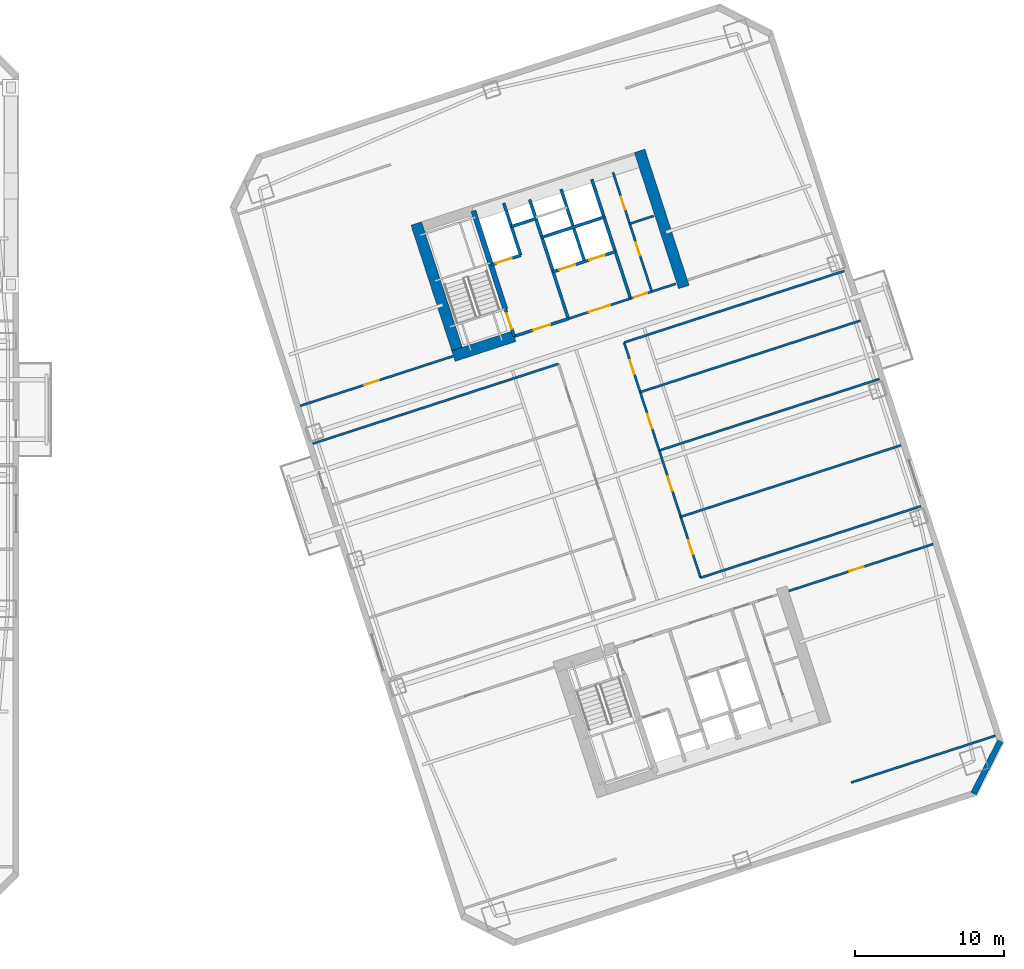
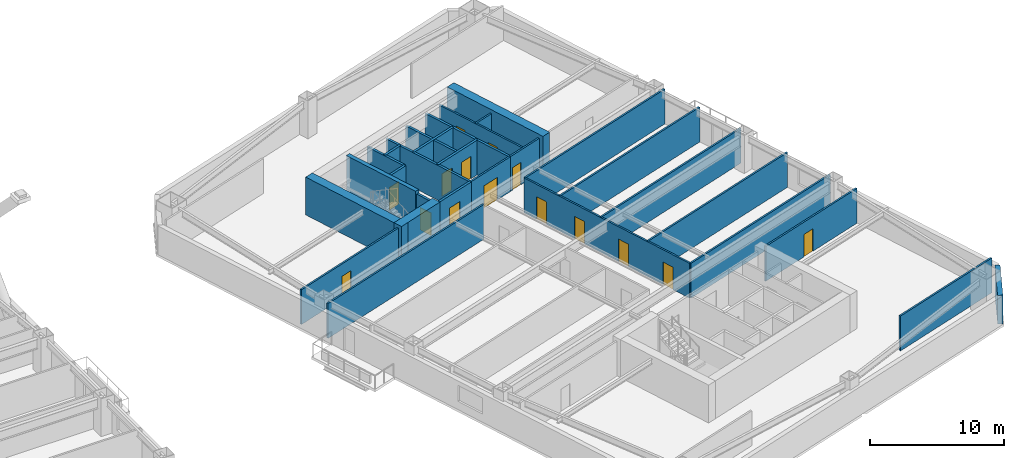
# One storey, part 8 of 15: 29 walls, 15 doors, 15 openings.
"""IFC4 building model written with IfcOpenShell, lengths in metres."""

from ifc_helpers import new_model, si_unit, direction, frame, frame_2d, origin, place, context, subcontext, project, spatial, rectangle, extrude, material, layer, layer_set, type_object, element, fill, save


model = new_model("IFC4")

# Units and contexts
model_context = context("Model", 3, precision=1e-05, world=origin(), true_north=direction((0.0, 1.0)))
body_context = subcontext(model_context, "Body", "Model", "MODEL_VIEW")
ifc_project = project(units=[si_unit("LENGTHUNIT", "METRE"), si_unit("AREAUNIT", "SQUARE_METRE"), si_unit("VOLUMEUNIT", "CUBIC_METRE"), si_unit("PLANEANGLEUNIT", "RADIAN"), si_unit("MASSUNIT", "GRAM", prefix="KILO")], contexts=[model_context])

# Site, building, storey
site_placement = place(None, origin())
site = spatial("IfcSite", under=ifc_project, at=site_placement, CompositionType="ELEMENT")
building_placement = place(site_placement, origin())
building = spatial("IfcBuilding", under=site, at=building_placement, Name="Qiaolan Cultural Towers", CompositionType="ELEMENT")
storey_placement = place(building_placement, frame((0.0, 0.0, 71.300048828125)))
storey = spatial("IfcBuildingStorey", under=building, at=storey_placement, Name="L17", CompositionType="ELEMENT", Elevation=71.300048828125)

# Walls
ifc_material_1 = material(Name="Concrete C50", Category="concrete")
ifc_layer_1 = layer(ifc_material_1, 0.35009765625)
ifc_layer_set_1 = layer_set([ifc_layer_1], Name="Concrete C50")
wall_type_1 = type_object("IfcWallType", Name="WL-CORE-350", PredefinedType="SHEAR", material=ifc_layer_set_1)
wall_1_placement = place(storey_placement, frame((82.513671875, 45.13134765625, 0.0), z_axis=(0.0, 0.0, 1.0), x_axis=(-0.308988790936, 0.951065679686, 0.0)))
element("IfcWall", 1, at=wall_1_placement, inside=storey, type_object=wall_type_1, Name="L17 T2-CN Stair Core Dividing Web", PredefinedType="SHEAR", context=body_context, shape_type="SweptSolid", body=[
    extrude(rectangle(XDim=6.97998046875, YDim=0.35009765625, at=frame_2d((3.489990234375, 0.0))), origin(), (0.0, 0.0, 1.0), 3.449951171875),
])
ifc_material_2 = material(Name="Concrete C60", Category="concrete")
ifc_layer_2 = layer(ifc_material_2, 0.75)
ifc_layer_set_2 = layer_set([ifc_layer_2], Name="Concrete C60")
wall_type_2 = type_object("IfcWallType", Name="WL-CORE-750", PredefinedType="SHEAR", material=ifc_layer_set_2)
for number, where, z_axis, x_axis, name in (
    (2, (79.48876953125, 41.75634765625, 0.0), (0.0, 0.0, 1.0), (-0.309016134813, 0.951056795583, 0.0), "L17 T2-CN West Core Shear Wall"),
    (3, (94.515380859375, 46.638916015625, 0.0), (0.0, 0.0, 1.0), (-0.309016134813, 0.951056795583, 0.0), "L17 T2-CN East Core Shear Wall"),
):
    element("IfcWall", number, at=place(storey_placement, frame(where, z_axis=z_axis, x_axis=x_axis)), inside=storey, type_object=wall_type_2, Name=name, PredefinedType="SHEAR", context=body_context, shape_type="SweptSolid", body=[
        extrude(rectangle(XDim=9.630126953125, YDim=0.75, at=frame_2d((4.81494140625, 0.0))), origin(), (0.0, 0.0, 1.0), 3.449951171875),
    ])
wall_2_placement = place(storey_placement, frame((79.01611328125, 41.997314453125, 0.0), z_axis=(0.0, 0.0, 1.0), x_axis=(0.95106038264, 0.309005094736, 0.0)))
element("IfcWall", 4, at=wall_2_placement, inside=storey, type_object=wall_type_2, Name="L17 T2-CN Stair Front Shear Wall", PredefinedType="SHEAR", context=body_context, shape_type="SweptSolid", body=[
    extrude(rectangle(XDim=4.294921875, YDim=0.75, at=frame_2d((2.1474609375, 0.0))), origin(), (0.0, 0.0, 1.0), 3.449951171875),
])
ifc_material_3 = material(Name="Precast Concrete C50 Honed Stone Pier", Category="masonry")
ifc_layer_3 = layer(ifc_material_3, 0.39990234375)
ifc_layer_set_3 = layer_set([ifc_layer_3], Name="Precast Concrete C50 Honed Stone Pier")
wall_type_3 = type_object("IfcWallType", Name="WL-EXT-PIER-400", PredefinedType="SOLIDWALL", material=ifc_layer_set_3)
wall_3_placement = place(storey_placement, frame((115.79541015625, 16.094970703125, 0.0), z_axis=(0.0, 0.0, 1.0), x_axis=(-0.453958106755, -0.891023028497, 0.0)))
element("IfcWall", 5, at=wall_3_placement, inside=storey, type_object=wall_type_3, Name="L17 East Tower Precast Pier Facade Wall F6", PredefinedType="SOLIDWALL", context=body_context, shape_type="SweptSolid", body=[
    extrude(rectangle(XDim=3.9599609375, YDim=0.39990234375, at=frame_2d((1.97998046875, 0.0))), origin(), (0.0, 0.0, 1.0), 2.60986328125),
])

# Wall, opening, door
ifc_material_4 = material(Name="Concrete C35 Fire Wall", Category="concrete")
ifc_layer_4 = layer(ifc_material_4, 0.199951171875)
ifc_layer_set_4 = layer_set([ifc_layer_4], Name="Concrete C35 Fire Wall")
wall_type_4 = type_object("IfcWallType", Name="WL-FIRE-200", PredefinedType="PARTITIONING", material=ifc_layer_set_4)
wall_4_placement = place(storey_placement, frame((83.100830078125, 43.324462890625, 0.0), z_axis=(0.0, 0.0, 1.0), x_axis=(-0.309048298632, 0.951046344356, 0.0)))
wall_4 = element("IfcWall", 6, at=wall_4_placement, inside=storey, type_object=wall_type_4, Name="L17 T2-CN Smokeproof Stair Entry Wall", PredefinedType="PARTITIONING", context=body_context, shape_type="SweptSolid", body=[
    extrude(rectangle(XDim=1.89990234375, YDim=0.199951171875, at=frame_2d((0.949951171875, 0.0))), origin(), (0.0, 0.0, 1.0), 3.175048828125),
])
opening_1_placement = place(wall_4_placement, frame((0.52001953125, 0.0, 0.0)))
opening_1 = element("IfcOpeningElement", 7, at=opening_1_placement, cuts=wall_4, Name="Opening FD-04", PredefinedType="OPENING", context=body_context, shape_type="SweptSolid", body=[
    extrude(rectangle(XDim=1.10009765625, YDim=2.050048828125, at=frame_2d((0.550048828125, 1.02490234375))), frame((0.0, 0.10986328125, 0.0), z_axis=(0.0, -1.0, 0.0), x_axis=(1.0, 0.0, 0.0)), (0.0, 0.0, 1.0), 0.219970703125),
])
ifc_material_5 = material(Name="Galvanized Steel Command Fire Door", Category="steel")
door_type_1 = type_object("IfcDoorType", Name="DR-FD90-1100", OperationType="NOTDEFINED", PredefinedType="DOOR", material=ifc_material_5)
door_1_placement = place(opening_1_placement, origin())
door_1 = element("IfcDoor", 8, at=door_1_placement, inside=storey, type_object=door_type_1, Name="L17 ST-E2 Smokeproof Stair Fire Door", OperationType="SINGLE_SWING_LEFT", OverallHeight=2.050048828125, OverallWidth=1.10009765625, PredefinedType="DOOR", context=body_context, shape_type="SweptSolid", body=[
    extrude(rectangle(XDim=1.10009765625, YDim=2.050048828125, at=frame_2d((0.550048828125, 1.02490234375))), frame((0.0, 0.02490234375, 0.0), z_axis=(0.0, -1.0, 0.0), x_axis=(1.0, 0.0, 0.0)), (0.0, 0.0, 1.0), 0.050048828125),
])
fill(opening_1, door_1)

# Wall
wall_5_placement = place(storey_placement, frame((86.743408203125, 44.508056640625, 0.0), z_axis=(0.0, 0.0, 1.0), x_axis=(-0.309016001439, 0.951056838919, 0.0)))
element("IfcWall", 9, at=wall_5_placement, inside=storey, type_object=wall_type_4, Name="L17 T2-CN Firefighting Zone Wall", PredefinedType="PARTITIONING", context=body_context, shape_type="SweptSolid", body=[
    extrude(rectangle(XDim=8.429931640625, YDim=0.199951171875, at=frame_2d((4.21484375, 0.0))), origin(), (0.0, 0.0, 1.0), 3.175048828125),
])

# Wall, opening, door
wall_6_placement = place(storey_placement, frame((83.100830078125, 43.324462890625, 0.0), z_axis=(0.0, 0.0, 1.0), x_axis=(0.951052804469, 0.309028417967, 0.0)))
wall_6 = element("IfcWall", 10, at=wall_6_placement, inside=storey, type_object=wall_type_4, Name="L17 T2-CN Firefighting Lobby Front Wall", PredefinedType="PARTITIONING", context=body_context, shape_type="SweptSolid", body=[
    extrude(rectangle(XDim=3.830078125, YDim=0.199951171875, at=frame_2d((1.9150390625, 0.0))), origin(), (0.0, 0.0, 1.0), 3.175048828125),
])
opening_2_placement = place(wall_6_placement, frame((1.35009765625, 0.0, 0.0)))
opening_2 = element("IfcOpeningElement", 11, at=opening_2_placement, cuts=wall_6, Name="Opening FD-03", PredefinedType="OPENING", context=body_context, shape_type="SweptSolid", body=[
    extrude(rectangle(XDim=1.199951171875, YDim=2.050048828125, at=frame_2d((0.60009765625, 1.02490234375))), frame((0.0, 0.10986328125, 0.0), z_axis=(0.0, -1.0, 0.0), x_axis=(1.0, 0.0, 0.0)), (0.0, 0.0, 1.0), 0.219970703125),
])
ifc_material_6 = material(Name="Galvanized Steel Smokeproof Lobby Fire Door", Category="steel")
door_type_2 = type_object("IfcDoorType", Name="DR-FD90-1200", OperationType="NOTDEFINED", PredefinedType="DOOR", material=ifc_material_6)
door_2_placement = place(opening_2_placement, origin())
door_2 = element("IfcDoor", 12, at=door_2_placement, inside=storey, type_object=door_type_2, Name="L17 FFL-E2 Firefighting Lobby Fire Door", OperationType="SINGLE_SWING_LEFT", OverallHeight=2.050048828125, OverallWidth=1.199951171875, PredefinedType="DOOR", context=body_context, shape_type="SweptSolid", body=[
    extrude(rectangle(XDim=1.199951171875, YDim=2.050048828125, at=frame_2d((0.60009765625, 1.02490234375))), frame((0.0, 0.02490234375, 0.0), z_axis=(0.0, -1.0, 0.0), x_axis=(1.0, 0.0, 0.0)), (0.0, 0.0, 1.0), 0.050048828125),
])
fill(opening_2, door_2)

wall_7_placement = place(storey_placement, frame((81.540283203125, 48.127197265625, 0.0), z_axis=(0.0, 0.0, 1.0), x_axis=(0.951062257173, 0.308999325213, 0.0)))
wall_7 = element("IfcWall", 13, at=wall_7_placement, inside=storey, type_object=wall_type_4, Name="L17 T2-CN Firefighting Shaft Front Wall", PredefinedType="PARTITIONING", context=body_context, shape_type="SweptSolid", body=[
    extrude(rectangle(XDim=2.10009765625, YDim=0.199951171875, at=frame_2d((1.050048828125, 0.0))), origin(), (0.0, 0.0, 1.0), 3.175048828125),
])
opening_3_placement = place(wall_7_placement, frame((0.35009765625, 0.0, 0.0)))
opening_3 = element("IfcOpeningElement", 14, at=opening_3_placement, cuts=wall_7, Name="Opening LD-01", PredefinedType="OPENING", context=body_context, shape_type="SweptSolid", body=[
    extrude(rectangle(XDim=1.10009765625, YDim=2.050048828125, at=frame_2d((0.550048828125, 1.02490234375))), frame((0.0, 0.10986328125, 0.0), z_axis=(0.0, -1.0, 0.0), x_axis=(1.0, 0.0, 0.0)), (0.0, 0.0, 1.0), 0.219970703125),
])
ifc_material_7 = material(Name="Brushed Stainless Steel S30408 Centre-Parting Lift Landing Door", Category="steel")
door_type_3 = type_object("IfcDoorType", Name="DR-LIFT-1100", OperationType="NOTDEFINED", PredefinedType="DOOR", material=ifc_material_7)
door_3_placement = place(opening_3_placement, origin())
door_3 = element("IfcDoor", 15, at=door_3_placement, inside=storey, type_object=door_type_3, Name="L17 FFL-E2 Firefighting Lift Landing Door", OperationType="DOUBLE_DOOR_SLIDING", OverallHeight=2.050048828125, OverallWidth=1.10009765625, PredefinedType="DOOR", context=body_context, shape_type="SweptSolid", body=[
    extrude(rectangle(XDim=1.10009765625, YDim=2.050048828125, at=frame_2d((0.550048828125, 1.02490234375))), frame((0.0, 0.02490234375, 0.0), z_axis=(0.0, -1.0, 0.0), x_axis=(1.0, 0.0, 0.0)), (0.0, 0.0, 1.0), 0.050048828125),
])
fill(opening_3, door_3)

# Walls
wall_8_placement = place(storey_placement, frame((83.53759765625, 48.776123046875, 0.0), z_axis=(0.0, 0.0, 1.0), x_axis=(-0.3089935693, 0.951064127245, 0.0)))
element("IfcWall", 16, at=wall_8_placement, inside=storey, type_object=wall_type_4, Name="L17 T2-CN Firefighting Hoistway East Wall", PredefinedType="PARTITIONING", context=body_context, shape_type="SweptSolid", body=[
    extrude(rectangle(XDim=3.7001953125, YDim=0.199951171875, at=frame_2d((1.85009765625, 0.0))), origin(), (0.0, 0.0, 1.0), 3.175048828125),
])
wall_9_placement = place(storey_placement, frame((82.910400390625, 50.706787109375, 0.0), z_axis=(0.0, 0.0, 1.0), x_axis=(0.951041328149, 0.309063734775, 0.0)))
element("IfcWall", 17, at=wall_9_placement, inside=storey, type_object=wall_type_4, Name="L17 T2-CN Pressurization Shaft Front Wall", PredefinedType="PARTITIONING", context=body_context, shape_type="SweptSolid", body=[
    extrude(rectangle(XDim=1.72998046875, YDim=0.199951171875, at=frame_2d((0.864990234375, 0.0))), origin(), (0.0, 0.0, 1.0), 3.175048828125),
])
wall_10_placement = place(storey_placement, frame((90.92822265625, 45.86767578125, 0.0), z_axis=(0.0, 0.0, 1.0), x_axis=(-0.309042196757, 0.951048327176, 0.0)))
element("IfcWall", 18, at=wall_10_placement, inside=storey, type_object=wall_type_4, Name="L17 T2-CN Lift Core East Wall", PredefinedType="PARTITIONING", context=body_context, shape_type="SweptSolid", body=[
    extrude(rectangle(XDim=8.429931640625, YDim=0.199951171875, at=frame_2d((4.21484375, 0.0))), origin(), (0.0, 0.0, 1.0), 3.175048828125),
])

# Wall, openings, doors
wall_11_placement = place(storey_placement, frame((85.717529296875, 47.66552734375, 0.0), z_axis=(0.0, 0.0, 1.0), x_axis=(0.951058531764, 0.30901079133, 0.0)))
wall_11 = element("IfcWall", 19, at=wall_11_placement, inside=storey, type_object=wall_type_4, Name="L17 T2-CN Passenger Lift Shaft Front Wall", PredefinedType="PARTITIONING", context=body_context, shape_type="SweptSolid", body=[
    extrude(rectangle(XDim=4.39990234375, YDim=0.199951171875, at=frame_2d((2.199951171875, 0.0))), origin(), (0.0, 0.0, 1.0), 3.175048828125),
])
opening_4_placement = place(wall_11_placement, frame((0.449951171875, 0.0, 0.0)))
opening_4 = element("IfcOpeningElement", 20, at=opening_4_placement, cuts=wall_11, Name="Opening LD-01", PredefinedType="OPENING", context=body_context, shape_type="SweptSolid", body=[
    extrude(rectangle(XDim=1.10009765625, YDim=2.050048828125, at=frame_2d((0.550048828125, 1.02490234375))), frame((0.0, 0.10986328125, 0.0), z_axis=(0.0, -1.0, 0.0), x_axis=(1.0, 0.0, 0.0)), (0.0, 0.0, 1.0), 0.219970703125),
])
opening_5_placement = place(wall_11_placement, frame((2.550048828125, 0.0, 0.0)))
opening_5 = element("IfcOpeningElement", 21, at=opening_5_placement, cuts=wall_11, Name="Opening LD-01", PredefinedType="OPENING", context=body_context, shape_type="SweptSolid", body=[
    extrude(rectangle(XDim=1.10009765625, YDim=2.050048828125, at=frame_2d((0.550048828125, 1.02490234375))), frame((0.0, 0.10986328125, 0.0), z_axis=(0.0, -1.0, 0.0), x_axis=(1.0, 0.0, 0.0)), (0.0, 0.0, 1.0), 0.219970703125),
])
door_4_placement = place(opening_4_placement, origin())
door_4 = element("IfcDoor", 22, at=door_4_placement, inside=storey, type_object=door_type_3, Name="L17 Passenger Lift 1 Landing Door", OperationType="DOUBLE_DOOR_SLIDING", OverallHeight=2.050048828125, OverallWidth=1.10009765625, PredefinedType="DOOR", context=body_context, shape_type="SweptSolid", body=[
    extrude(rectangle(XDim=1.10009765625, YDim=2.050048828125, at=frame_2d((0.550048828125, 1.02490234375))), frame((0.0, 0.02490234375, 0.0), z_axis=(0.0, -1.0, 0.0), x_axis=(1.0, 0.0, 0.0)), (0.0, 0.0, 1.0), 0.050048828125),
])
fill(opening_4, door_4)
door_5_placement = place(opening_5_placement, origin())
door_5 = element("IfcDoor", 23, at=door_5_placement, inside=storey, type_object=door_type_3, Name="L17 Passenger Lift 2 Landing Door", OperationType="DOUBLE_DOOR_SLIDING", OverallHeight=2.050048828125, OverallWidth=1.10009765625, PredefinedType="DOOR", context=body_context, shape_type="SweptSolid", body=[
    extrude(rectangle(XDim=1.10009765625, YDim=2.050048828125, at=frame_2d((0.550048828125, 1.02490234375))), frame((0.0, 0.02490234375, 0.0), z_axis=(0.0, -1.0, 0.0), x_axis=(1.0, 0.0, 0.0)), (0.0, 0.0, 1.0), 0.050048828125),
])
fill(opening_5, door_5)

# Walls
wall_12_placement = place(storey_placement, frame((87.83837890625, 48.3544921875, 0.0), z_axis=(0.0, 0.0, 1.0), x_axis=(-0.3090093719, 0.951058992953, 0.0)))
element("IfcWall", 24, at=wall_12_placement, inside=storey, type_object=wall_type_4, Name="L17 T2-CN Lift Shaft Divider Wall", PredefinedType="PARTITIONING", context=body_context, shape_type="SweptSolid", body=[
    extrude(rectangle(XDim=5.110107421875, YDim=0.199951171875, at=frame_2d((2.55517578125, 0.0))), origin(), (0.0, 0.0, 1.0), 3.175048828125),
])
wall_13_placement = place(storey_placement, frame((84.966552734375, 49.9765625, 0.0), z_axis=(0.0, 0.0, 1.0), x_axis=(0.951063829732, 0.308994485023, 0.0)))
element("IfcWall", 25, at=wall_13_placement, inside=storey, type_object=wall_type_4, Name="L17 T2-CN Passenger Lift Shaft Back Wall", PredefinedType="PARTITIONING", context=body_context, shape_type="SweptSolid", body=[
    extrude(rectangle(XDim=4.400146484375, YDim=0.199951171875, at=frame_2d((2.2001953125, 0.0))), origin(), (0.0, 0.0, 1.0), 3.175048828125),
])

# Wall, opening, door
ifc_material_8 = material(Name="Autoclaved Aerated Concrete Block B06", Category="concrete")
ifc_layer_5 = layer(ifc_material_8, 0.14990234375)
ifc_layer_set_5 = layer_set([ifc_layer_5], Name="Autoclaved Aerated Concrete Block B06")
wall_type_5 = type_object("IfcWallType", Name="WL-PART-150", PredefinedType="PARTITIONING", material=ifc_layer_set_5)
wall_14_placement = place(storey_placement, frame((86.743408203125, 44.508056640625, 0.0), z_axis=(0.0, 0.0, 1.0), x_axis=(0.951063829732, 0.308994485023, 0.0)))
wall_14 = element("IfcWall", 26, at=wall_14_placement, inside=storey, type_object=wall_type_5, Name="L17 T2-CN Passenger Lift Lobby Front Wall", PredefinedType="PARTITIONING", context=body_context, shape_type="SweptSolid", body=[
    extrude(rectangle(XDim=4.400146484375, YDim=0.14990234375, at=frame_2d((2.2001953125, 0.0))), origin(), (0.0, 0.0, 1.0), 3.175048828125),
])
opening_6_placement = place(wall_14_placement, frame((1.449951171875, 0.0, 0.0)))
opening_6 = element("IfcOpeningElement", 27, at=opening_6_placement, cuts=wall_14, Name="Opening FD-05", PredefinedType="OPENING", context=body_context, shape_type="SweptSolid", body=[
    extrude(rectangle(XDim=1.5, YDim=2.050048828125, at=frame_2d((0.75, 1.02490234375))), frame((0.0, 0.0849609375, 0.0), z_axis=(0.0, -1.0, 0.0), x_axis=(1.0, 0.0, 0.0)), (0.0, 0.0, 1.0), 0.169921875),
])
ifc_material_9 = material(Name="Painted Steel Lift Lobby Fire Door", Category="steel")
door_type_4 = type_object("IfcDoorType", Name="DR-FD60-1500", OperationType="NOTDEFINED", PredefinedType="DOOR", material=ifc_material_9)
door_6_placement = place(opening_6_placement, origin())
door_6 = element("IfcDoor", 28, at=door_6_placement, inside=storey, type_object=door_type_4, Name="L17 Passenger Lift Lobby Entrance", OperationType="SINGLE_SWING_LEFT", OverallHeight=2.050048828125, OverallWidth=1.5, PredefinedType="DOOR", context=body_context, shape_type="SweptSolid", body=[
    extrude(rectangle(XDim=1.5, YDim=2.050048828125, at=frame_2d((0.75, 1.02490234375))), frame((0.0, 0.02490234375, 0.0), z_axis=(0.0, -1.0, 0.0), x_axis=(1.0, 0.0, 0.0)), (0.0, 0.0, 1.0), 0.050048828125),
])
fill(opening_6, door_6)

wall_15_placement = place(storey_placement, frame((90.92822265625, 45.86767578125, 0.0), z_axis=(0.0, 0.0, 1.0), x_axis=(0.951059297078, 0.309008435874, 0.0)))
wall_15 = element("IfcWall", 29, at=wall_15_placement, inside=storey, type_object=wall_type_5, Name="L17 T2-CN Sanitary Core Front Wall", PredefinedType="PARTITIONING", context=body_context, shape_type="SweptSolid", body=[
    extrude(rectangle(XDim=3.19970703125, YDim=0.14990234375, at=frame_2d((1.599853515625, 0.0))), origin(), (0.0, 0.0, 1.0), 3.175048828125),
])
opening_7_placement = place(wall_15_placement, frame((0.219970703125, 0.0, 0.0)))
opening_7 = element("IfcOpeningElement", 30, at=opening_7_placement, cuts=wall_15, Name="Opening ID-05", PredefinedType="OPENING", context=body_context, shape_type="SweptSolid", body=[
    extrude(rectangle(XDim=0.949951171875, YDim=2.050048828125, at=frame_2d((0.47509765625, 1.02490234375))), frame((0.0, 0.0849609375, 0.0), z_axis=(0.0, -1.0, 0.0), x_axis=(1.0, 0.0, 0.0)), (0.0, 0.0, 1.0), 0.169921875),
])
ifc_material_10 = material(Name="Fire-Rated Laminate Accessible Core Door", Category="timber")
door_type_5 = type_object("IfcDoorType", Name="DR-INT-950", OperationType="NOTDEFINED", PredefinedType="DOOR", material=ifc_material_10)
door_7_placement = place(opening_7_placement, origin())
door_7 = element("IfcDoor", 31, at=door_7_placement, inside=storey, type_object=door_type_5, Name="L17 Sanitary Lobby Door", OperationType="SINGLE_SWING_LEFT", OverallHeight=2.050048828125, OverallWidth=0.949951171875, PredefinedType="DOOR", context=body_context, shape_type="SweptSolid", body=[
    extrude(rectangle(XDim=0.949951171875, YDim=2.050048828125, at=frame_2d((0.47509765625, 1.02490234375))), frame((0.0, 0.02490234375, 0.0), z_axis=(0.0, -1.0, 0.0), x_axis=(1.0, 0.0, 0.0)), (0.0, 0.0, 1.0), 0.050048828125),
])
fill(opening_7, door_7)

# Wall, openings, doors
wall_16_placement = place(storey_placement, frame((92.354736328125, 46.3310546875, 0.0), z_axis=(0.0, 0.0, 1.0), x_axis=(-0.309007490203, 0.951059604335, 0.0)))
wall_16 = element("IfcWall", 32, at=wall_16_placement, inside=storey, type_object=wall_type_5, Name="L17 T2-CN Washroom Split Wall", PredefinedType="PARTITIONING", context=body_context, shape_type="SweptSolid", body=[
    extrude(rectangle(XDim=8.43017578125, YDim=0.14990234375, at=frame_2d((4.215087890625, 0.0))), origin(), (0.0, 0.0, 1.0), 3.175048828125),
])
opening_8_placement = place(wall_16_placement, frame((2.550048828125, 0.0, 0.0)))
opening_8 = element("IfcOpeningElement", 33, at=opening_8_placement, cuts=wall_16, Name="Opening ID-05", PredefinedType="OPENING", context=body_context, shape_type="SweptSolid", body=[
    extrude(rectangle(XDim=0.949951171875, YDim=2.050048828125, at=frame_2d((0.47509765625, 1.02490234375))), frame((0.0, 0.0849609375, 0.0), z_axis=(0.0, -1.0, 0.0), x_axis=(1.0, 0.0, 0.0)), (0.0, 0.0, 1.0), 0.169921875),
])
opening_9_placement = place(wall_16_placement, frame((5.800048828125, 0.0, 0.0)))
opening_9 = element("IfcOpeningElement", 34, at=opening_9_placement, cuts=wall_16, Name="Opening ID-06", PredefinedType="OPENING", context=body_context, shape_type="SweptSolid", body=[
    extrude(rectangle(XDim=0.89990234375, YDim=2.050048828125, at=frame_2d((0.449951171875, 1.02490234375))), frame((0.0, 0.0849609375, 0.0), z_axis=(0.0, -1.0, 0.0), x_axis=(1.0, 0.0, 0.0)), (0.0, 0.0, 1.0), 0.169921875),
])
ifc_material_11 = material(Name="Fire-Rated Laminate Core Service Door", Category="timber")
door_type_6 = type_object("IfcDoorType", Name="DR-INT-900", OperationType="NOTDEFINED", PredefinedType="DOOR", material=ifc_material_11)
door_8_placement = place(opening_9_placement, origin())
door_8 = element("IfcDoor", 35, at=door_8_placement, inside=storey, type_object=door_type_6, Name="L17 First-Aid Room Door", OperationType="SINGLE_SWING_RIGHT", OverallHeight=2.050048828125, OverallWidth=0.89990234375, PredefinedType="DOOR", context=body_context, shape_type="SweptSolid", body=[
    extrude(rectangle(XDim=0.89990234375, YDim=2.050048828125, at=frame_2d((0.449951171875, 1.02490234375))), frame((0.0, 0.02490234375, 0.0), z_axis=(0.0, -1.0, 0.0), x_axis=(1.0, 0.0, 0.0)), (0.0, 0.0, 1.0), 0.050048828125),
])
fill(opening_9, door_8)
door_9_placement = place(opening_8_placement, origin())
door_9 = element("IfcDoor", 36, at=door_9_placement, inside=storey, type_object=door_type_5, Name="L17 Accessible Washroom Door", OperationType="SINGLE_SWING_LEFT", OverallHeight=2.050048828125, OverallWidth=0.949951171875, PredefinedType="DOOR", context=body_context, shape_type="SweptSolid", body=[
    extrude(rectangle(XDim=0.949951171875, YDim=2.050048828125, at=frame_2d((0.47509765625, 1.02490234375))), frame((0.0, 0.02490234375, 0.0), z_axis=(0.0, -1.0, 0.0), x_axis=(1.0, 0.0, 0.0)), (0.0, 0.0, 1.0), 0.050048828125),
])
fill(opening_8, door_9)

# Walls
wall_17_placement = place(storey_placement, frame((90.871337890625, 50.896240234375, 0.0), z_axis=(0.0, 0.0, 1.0), x_axis=(0.951054116971, 0.309024378638, 0.0)))
element("IfcWall", 37, at=wall_17_placement, inside=storey, type_object=wall_type_5, Name="L17 T2-CN First-Aid Wall", PredefinedType="PARTITIONING", context=body_context, shape_type="SweptSolid", body=[
    extrude(rectangle(XDim=1.7001953125, YDim=0.14990234375, at=frame_2d((0.85009765625, 0.0))), origin(), (0.0, 0.0, 1.0), 3.175048828125),
])
wall_18_placement = place(storey_placement, frame((105.765380859375, 13.30908203125, 0.0), z_axis=(0.0, 0.0, 1.0), x_axis=(0.951054294345, 0.309023832749, 0.0)))
element("IfcWall", 38, at=wall_18_placement, inside=storey, type_object=wall_type_5, Name="L17 T2 Flank Wall FLK-SE", PredefinedType="PARTITIONING", context=body_context, shape_type="SweptSolid", body=[
    extrude(rectangle(XDim=10.2001953125, YDim=0.14990234375, at=frame_2d((5.10009765625, 0.0))), origin(), (0.0, 0.0, 1.0), 3.175048828125),
])

# Wall, opening, door
wall_19_placement = place(storey_placement, frame((101.578369140625, 26.196044921875, 0.0), z_axis=(0.0, 0.0, 1.0), x_axis=(0.951059043131, 0.309009217467, 0.0)))
wall_19 = element("IfcWall", 39, at=wall_19_placement, inside=storey, type_object=wall_type_5, Name="L17 T2 Flank Front FLK-SE", PredefinedType="PARTITIONING", context=body_context, shape_type="SweptSolid", body=[
    extrude(rectangle(XDim=10.199951171875, YDim=0.14990234375, at=frame_2d((5.10009765625, 0.0))), origin(), (0.0, 0.0, 1.0), 3.175048828125),
])
opening_10_placement = place(wall_19_placement, frame((4.283935546875, 0.0, 0.0)))
opening_10 = element("IfcOpeningElement", 40, at=opening_10_placement, cuts=wall_19, Name="Opening ID-04", PredefinedType="OPENING", context=body_context, shape_type="SweptSolid", body=[
    extrude(rectangle(XDim=1.0, YDim=2.050048828125, at=frame_2d((0.5, 1.02490234375))), frame((0.0, 0.0849609375, 0.0), z_axis=(0.0, -1.0, 0.0), x_axis=(1.0, 0.0, 0.0)), (0.0, 0.0, 1.0), 0.169921875),
])
ifc_material_12 = material(Name="Oak Veneer Acoustic Office Door", Category="timber")
door_type_7 = type_object("IfcDoorType", Name="DR-INT-1000", OperationType="NOTDEFINED", PredefinedType="DOOR", material=ifc_material_12)
door_10_placement = place(opening_10_placement, origin())
door_10 = element("IfcDoor", 41, at=door_10_placement, inside=storey, type_object=door_type_7, Name="L17 T2 Corner Studio Door", OperationType="SINGLE_SWING_LEFT", OverallHeight=2.050048828125, OverallWidth=1.0, PredefinedType="DOOR", context=body_context, shape_type="SweptSolid", body=[
    extrude(rectangle(XDim=1.0, YDim=2.050048828125, at=frame_2d((0.5, 1.02490234375))), frame((0.0, 0.02490234375, 0.0), z_axis=(0.0, -1.0, 0.0), x_axis=(1.0, 0.0, 0.0)), (0.0, 0.0, 1.0), 0.050048828125),
])
fill(opening_10, door_10)

wall_20_placement = place(storey_placement, frame((68.720947265625, 38.652099609375, 0.0), z_axis=(0.0, 0.0, 1.0), x_axis=(0.951056658866, 0.309016555588, 0.0)))
wall_20 = element("IfcWall", 42, at=wall_20_placement, inside=storey, type_object=wall_type_5, Name="L17 T2 Flank Front FLK-NW", PredefinedType="PARTITIONING", context=body_context, shape_type="SweptSolid", body=[
    extrude(rectangle(XDim=10.800048828125, YDim=0.14990234375, at=frame_2d((5.39990234375, 0.0))), origin(), (0.0, 0.0, 1.0), 3.175048828125),
])
opening_11_placement = place(wall_20_placement, frame((4.535888671875, 0.0, 0.0)))
opening_11 = element("IfcOpeningElement", 43, at=opening_11_placement, cuts=wall_20, Name="Opening ID-04", PredefinedType="OPENING", context=body_context, shape_type="SweptSolid", body=[
    extrude(rectangle(XDim=1.0, YDim=2.050048828125, at=frame_2d((0.5, 1.02490234375))), frame((0.0, 0.0849609375, 0.0), z_axis=(0.0, -1.0, 0.0), x_axis=(1.0, 0.0, 0.0)), (0.0, 0.0, 1.0), 0.169921875),
])
door_11_placement = place(opening_11_placement, origin())
door_11 = element("IfcDoor", 44, at=door_11_placement, inside=storey, type_object=door_type_7, Name="L17 T2 Corner Studio Door", OperationType="SINGLE_SWING_LEFT", OverallHeight=2.050048828125, OverallWidth=1.0, PredefinedType="DOOR", context=body_context, shape_type="SweptSolid", body=[
    extrude(rectangle(XDim=1.0, YDim=2.050048828125, at=frame_2d((0.5, 1.02490234375))), frame((0.0, 0.02490234375, 0.0), z_axis=(0.0, -1.0, 0.0), x_axis=(1.0, 0.0, 0.0)), (0.0, 0.0, 1.0), 0.050048828125),
])
fill(opening_11, door_11)

# Walls
wall_21_placement = place(storey_placement, frame((95.63818359375, 27.083740234375, 0.0), z_axis=(0.0, 0.0, 1.0), x_axis=(0.951055837847, 0.309019082414, 0.0)))
element("IfcWall", 45, at=wall_21_placement, inside=storey, type_object=wall_type_5, Name="L17 T2 South Corridor Right Wall", PredefinedType="PARTITIONING", context=body_context, shape_type="SweptSolid", body=[
    extrude(rectangle(XDim=15.574951171875, YDim=0.14990234375, at=frame_2d((7.78759765625, 0.0))), origin(), (0.0, 0.0, 1.0), 3.175048828125),
])
wall_22_placement = place(storey_placement, frame((69.549072265625, 36.103271484375, 0.0), z_axis=(0.0, 0.0, 1.0), x_axis=(0.951057299418, 0.309014584159, 0.0)))
element("IfcWall", 46, at=wall_22_placement, inside=storey, type_object=wall_type_5, Name="L17 T2 North Corridor Left Wall", PredefinedType="PARTITIONING", context=body_context, shape_type="SweptSolid", body=[
    extrude(rectangle(XDim=17.375, YDim=0.14990234375, at=frame_2d((8.6875, 0.0))), origin(), (0.0, 0.0, 1.0), 3.175048828125),
])
wall_23_placement = place(storey_placement, frame((90.49609375, 42.909423828125, 0.0), z_axis=(0.0, 0.0, 1.0), x_axis=(0.951055837847, 0.309019082414, 0.0)))
element("IfcWall", 47, at=wall_23_placement, inside=storey, type_object=wall_type_5, Name="L17 T2 North Corridor Right Wall", PredefinedType="PARTITIONING", context=body_context, shape_type="SweptSolid", body=[
    extrude(rectangle(XDim=15.574951171875, YDim=0.14990234375, at=frame_2d((7.78759765625, 0.0))), origin(), (0.0, 0.0, 1.0), 3.175048828125),
])

# Wall, openings, doors
wall_24_placement = place(storey_placement, frame((95.63818359375, 27.083740234375, 0.0), z_axis=(0.0, 0.0, 1.0), x_axis=(-0.30901773025, 0.951056277195, 0.0)))
wall_24 = element("IfcWall", 48, at=wall_24_placement, inside=storey, type_object=wall_type_5, Name="L17 T2 East Spine Wall", PredefinedType="PARTITIONING", context=body_context, shape_type="SweptSolid", body=[
    extrude(rectangle(XDim=16.64013671875, YDim=0.14990234375, at=frame_2d((8.320068359375, 0.0))), origin(), (0.0, 0.0, 1.0), 3.175048828125),
])
opening_12_placement = place(wall_24_placement, frame((1.655029296875, 0.0, 0.0)))
opening_12 = element("IfcOpeningElement", 49, at=opening_12_placement, cuts=wall_24, Name="Opening ID-04", PredefinedType="OPENING", context=body_context, shape_type="SweptSolid", body=[
    extrude(rectangle(XDim=1.0, YDim=2.050048828125, at=frame_2d((0.5, 1.02490234375))), frame((0.0, 0.0849609375, 0.0), z_axis=(0.0, -1.0, 0.0), x_axis=(1.0, 0.0, 0.0)), (0.0, 0.0, 1.0), 0.169921875),
])
opening_13_placement = place(wall_24_placement, frame((6.155029296875, 0.0, 0.0)))
opening_13 = element("IfcOpeningElement", 50, at=opening_13_placement, cuts=wall_24, Name="Opening ID-04", PredefinedType="OPENING", context=body_context, shape_type="SweptSolid", body=[
    extrude(rectangle(XDim=1.0, YDim=2.050048828125, at=frame_2d((0.5, 1.02490234375))), frame((0.0, 0.0849609375, 0.0), z_axis=(0.0, -1.0, 0.0), x_axis=(1.0, 0.0, 0.0)), (0.0, 0.0, 1.0), 0.169921875),
])
opening_14_placement = place(wall_24_placement, frame((10.564697265625, 0.0, 0.0)))
opening_14 = element("IfcOpeningElement", 51, at=opening_14_placement, cuts=wall_24, Name="Opening ID-04", PredefinedType="OPENING", context=body_context, shape_type="SweptSolid", body=[
    extrude(rectangle(XDim=1.0, YDim=2.050048828125, at=frame_2d((0.5, 1.02490234375))), frame((0.0, 0.0849609375, 0.0), z_axis=(0.0, -1.0, 0.0), x_axis=(1.0, 0.0, 0.0)), (0.0, 0.0, 1.0), 0.169921875),
])
opening_15_placement = place(wall_24_placement, frame((14.384521484375, 0.0, 0.0)))
opening_15 = element("IfcOpeningElement", 52, at=opening_15_placement, cuts=wall_24, Name="Opening ID-04", PredefinedType="OPENING", context=body_context, shape_type="SweptSolid", body=[
    extrude(rectangle(XDim=1.0, YDim=2.050048828125, at=frame_2d((0.5, 1.02490234375))), frame((0.0, 0.0849609375, 0.0), z_axis=(0.0, -1.0, 0.0), x_axis=(1.0, 0.0, 0.0)), (0.0, 0.0, 1.0), 0.169921875),
])
door_12_placement = place(opening_12_placement, origin())
door_12 = element("IfcDoor", 53, at=door_12_placement, inside=storey, type_object=door_type_7, Name="L17 T2 Seminar Room Door", OperationType="SINGLE_SWING_RIGHT", OverallHeight=2.050048828125, OverallWidth=1.0, PredefinedType="DOOR", context=body_context, shape_type="SweptSolid", body=[
    extrude(rectangle(XDim=1.0, YDim=2.050048828125, at=frame_2d((0.5, 1.02490234375))), frame((0.0, 0.02490234375, 0.0), z_axis=(0.0, -1.0, 0.0), x_axis=(1.0, 0.0, 0.0)), (0.0, 0.0, 1.0), 0.050048828125),
])
fill(opening_12, door_12)
door_13_placement = place(opening_13_placement, origin())
door_13 = element("IfcDoor", 54, at=door_13_placement, inside=storey, type_object=door_type_7, Name="L17 T2 Seminar Room Door", OperationType="SINGLE_SWING_LEFT", OverallHeight=2.050048828125, OverallWidth=1.0, PredefinedType="DOOR", context=body_context, shape_type="SweptSolid", body=[
    extrude(rectangle(XDim=1.0, YDim=2.050048828125, at=frame_2d((0.5, 1.02490234375))), frame((0.0, 0.02490234375, 0.0), z_axis=(0.0, -1.0, 0.0), x_axis=(1.0, 0.0, 0.0)), (0.0, 0.0, 1.0), 0.050048828125),
])
fill(opening_13, door_13)
door_14_placement = place(opening_14_placement, origin())
door_14 = element("IfcDoor", 55, at=door_14_placement, inside=storey, type_object=door_type_7, Name="L17 T2 First-Aid Wellness Room Door", OperationType="SINGLE_SWING_RIGHT", OverallHeight=2.050048828125, OverallWidth=1.0, PredefinedType="DOOR", context=body_context, shape_type="SweptSolid", body=[
    extrude(rectangle(XDim=1.0, YDim=2.050048828125, at=frame_2d((0.5, 1.02490234375))), frame((0.0, 0.02490234375, 0.0), z_axis=(0.0, -1.0, 0.0), x_axis=(1.0, 0.0, 0.0)), (0.0, 0.0, 1.0), 0.050048828125),
])
fill(opening_14, door_14)
door_15_placement = place(opening_15_placement, origin())
door_15 = element("IfcDoor", 56, at=door_15_placement, inside=storey, type_object=door_type_7, Name="L17 T2 Design Print Shop Door", OperationType="SINGLE_SWING_LEFT", OverallHeight=2.050048828125, OverallWidth=1.0, PredefinedType="DOOR", context=body_context, shape_type="SweptSolid", body=[
    extrude(rectangle(XDim=1.0, YDim=2.050048828125, at=frame_2d((0.5, 1.02490234375))), frame((0.0, 0.02490234375, 0.0), z_axis=(0.0, -1.0, 0.0), x_axis=(1.0, 0.0, 0.0)), (0.0, 0.0, 1.0), 0.050048828125),
])
fill(opening_15, door_15)

# Walls
for number, where, z_axis, x_axis, name in (
    (57, (94.306396484375, 31.182861328125, 0.0), (0.0, 0.0, 1.0), (0.951055837847, 0.309019082414, 0.0), "L17 T2 East Partition 1"),
    (58, (92.85693359375, 35.643310546875, 0.0), (0.0, 0.0, 1.0), (0.951055837847, 0.309019082414, 0.0), "L17 T2 East Partition 2"),
    (59, (91.5810546875, 39.5703125, 0.0), (0.0, 0.0, 1.0), (0.951055837847, 0.309019082414, 0.0), "L17 T2 East Partition 3"),
):
    element("IfcWall", number, at=place(storey_placement, frame(where, z_axis=z_axis, x_axis=x_axis)), inside=storey, type_object=wall_type_5, Name=name, PredefinedType="PARTITIONING", context=body_context, shape_type="SweptSolid", body=[
        extrude(rectangle(XDim=15.574951171875, YDim=0.14990234375, at=frame_2d((7.78759765625, 0.0))), origin(), (0.0, 0.0, 1.0), 3.175048828125),
    ])

save(model, "model.ifc")
